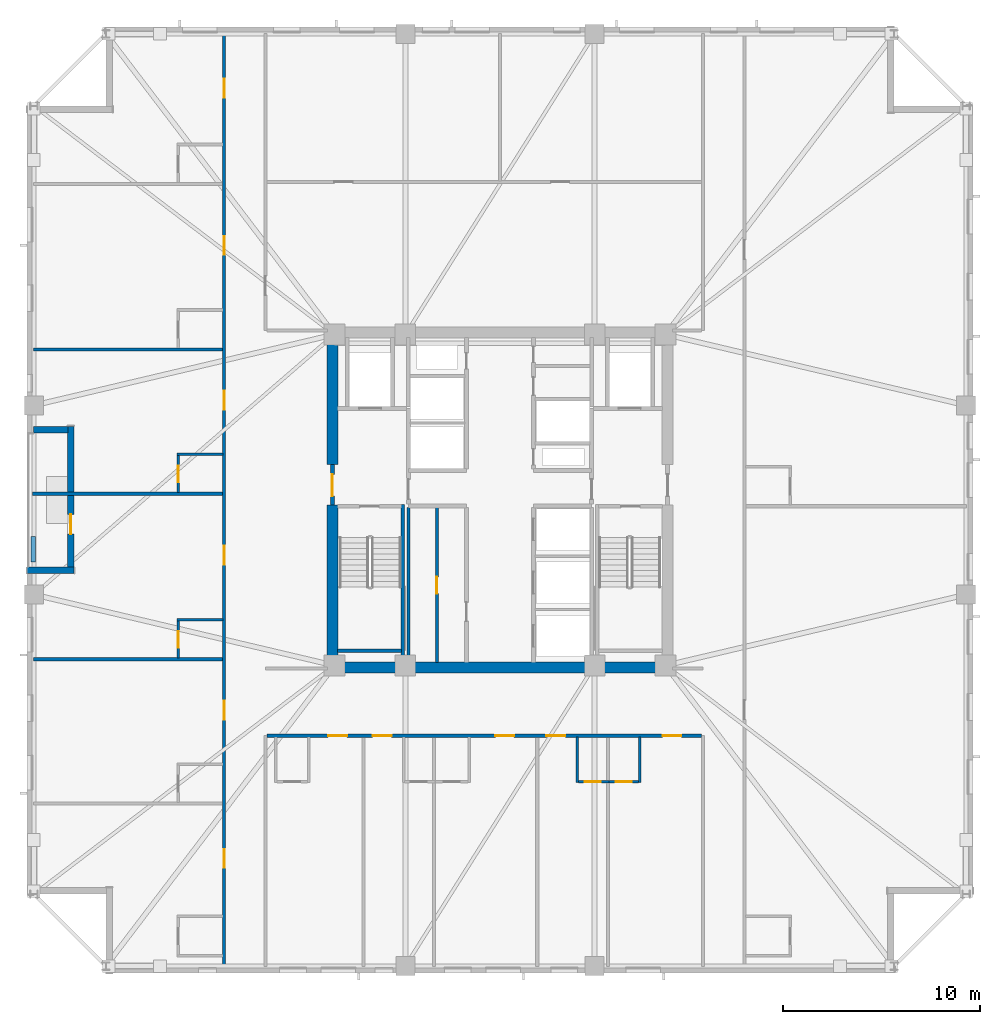
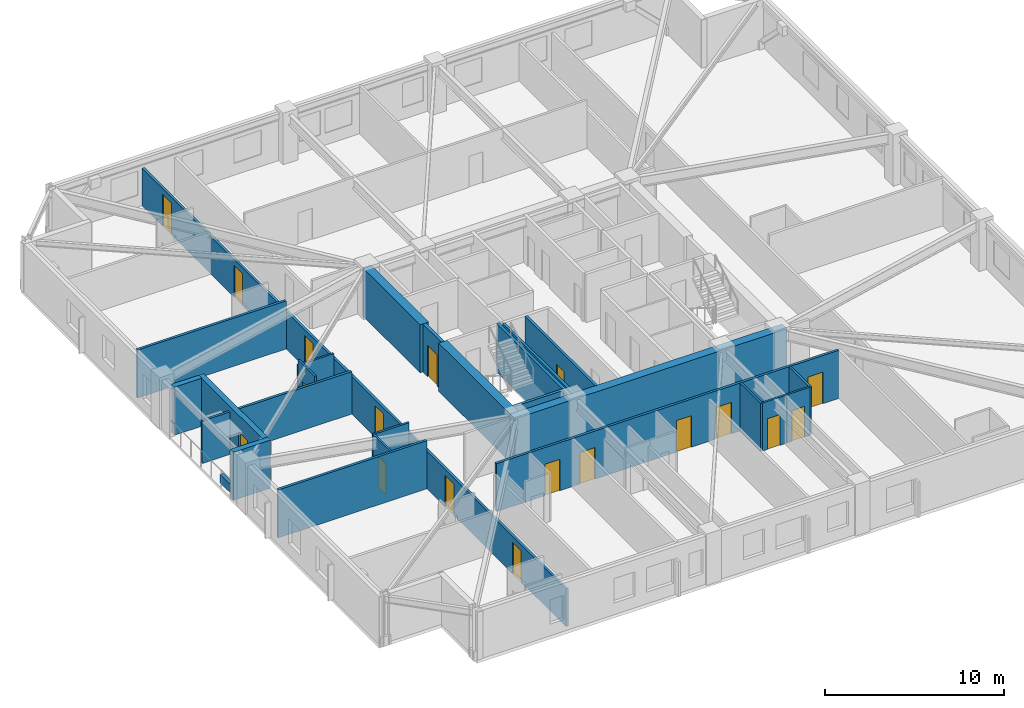
# One storey, part 3 of 11: 25 walls, 18 doors, 18 openings.
"""IFC4 building model written with IfcOpenShell, lengths in metres."""

from ifc_helpers import new_model, si_unit, direction, frame, frame_2d, origin, place, context, subcontext, project, spatial, rectangle, extrude, material, layer, layer_set, type_object, element, fill, save


model = new_model("IFC4")

# Units and contexts
model_context = context("Model", 3, precision=1e-05, world=origin(), true_north=direction((0.0, 1.0)))
body_context = subcontext(model_context, "Body", "Model", "MODEL_VIEW")
ifc_project = project(units=[si_unit("LENGTHUNIT", "METRE"), si_unit("AREAUNIT", "SQUARE_METRE"), si_unit("VOLUMEUNIT", "CUBIC_METRE"), si_unit("PLANEANGLEUNIT", "RADIAN"), si_unit("MASSUNIT", "GRAM", prefix="KILO")], contexts=[model_context])

# Site, building, storey
site_placement = place(None, origin())
site = spatial("IfcSite", under=ifc_project, at=site_placement, CompositionType="ELEMENT")
building_placement = place(site_placement, origin())
building = spatial("IfcBuilding", under=site, at=building_placement, Name="Cairnveth Concourse Tower", CompositionType="ELEMENT")
storey_placement = place(building_placement, frame((0.0, 0.0, 123.5)))
storey = spatial("IfcBuildingStorey", under=building, at=storey_placement, Name="L33", CompositionType="ELEMENT", Elevation=123.5)

# Wall
ifc_material_1 = material(Name="Gypsum Plasterboard Partition", Category="gypsum")
ifc_layer_1 = layer(ifc_material_1, 0.159912109375)
ifc_layer_set_1 = layer_set([ifc_layer_1], Name="Gypsum Plasterboard Partition")
wall_type_1 = type_object("IfcWallType", Name="ACOUSTIC PARTY WALL 180", PredefinedType="PARTITIONING", material=ifc_layer_set_1)
wall_1_placement = place(storey_placement, frame((47.35009765625, 30.760009765625, 0.0), z_axis=(0.0, 0.0, 1.0), x_axis=(0.0, 1.0, 0.0)))
element("IfcWall", 1, at=wall_1_placement, inside=storey, type_object=wall_type_1, Name="Interior Wall IW-L33-025", PredefinedType="PARTITIONING", context=body_context, shape_type="SweptSolid", body=[
    extrude(rectangle(XDim=7.85498046875, YDim=0.159912109375, at=frame_2d((3.927490234375, 0.0))), origin(), (0.0, 0.0, 1.0), 3.280029296875),
])

# Wall, opening, door
wall_2_placement = place(storey_placement, frame((48.800048828125, 30.760009765625, 0.0), z_axis=(0.0, 0.0, 1.0), x_axis=(0.0, 1.0, 0.0)))
wall_2 = element("IfcWall", 2, at=wall_2_placement, inside=storey, type_object=wall_type_1, Name="Interior Wall IW-L33-026", PredefinedType="PARTITIONING", context=body_context, shape_type="SweptSolid", body=[
    extrude(rectangle(XDim=7.85498046875, YDim=0.159912109375, at=frame_2d((3.927490234375, 0.0))), origin(), (0.0, 0.0, 1.0), 3.280029296875),
])
opening_1_placement = place(wall_2_placement, frame((3.489990234375, 0.0, 0.0)))
opening_1 = element("IfcOpeningElement", 3, at=opening_1_placement, cuts=wall_2, Name="Opening ID19", PredefinedType="OPENING", context=body_context, shape_type="SweptSolid", body=[
    extrude(rectangle(XDim=0.85009765625, YDim=2.1201171875, at=frame_2d((0.425048828125, 1.06005859375))), frame((0.0, 0.08984375, 0.0), z_axis=(0.0, -1.0, 0.0), x_axis=(1.0, 0.0, 0.0)), (0.0, 0.0, 1.0), 0.179931640625),
])
ifc_material_2 = material(Name="Steel Grade 350", Category="steel")
door_type_1 = type_object("IfcDoorType", Name="CORE SERVICE DOOR 850X2100", OperationType="NOTDEFINED", PredefinedType="DOOR", material=ifc_material_2)
door_1_placement = place(opening_1_placement, origin())
door_1 = element("IfcDoor", 4, at=door_1_placement, inside=storey, type_object=door_type_1, Name="Inner Store Door L33", OperationType="SINGLE_SWING_RIGHT", OverallHeight=2.1201171875, OverallWidth=0.85009765625, PredefinedType="DOOR", context=body_context, shape_type="SweptSolid", body=[
    extrude(rectangle(XDim=0.85009765625, YDim=2.1201171875, at=frame_2d((0.425048828125, 1.06005859375))), frame((0.0, 0.02490234375, 0.0), z_axis=(0.0, -1.0, 0.0), x_axis=(1.0, 0.0, 0.0)), (0.0, 0.0, 1.0), 0.050048828125),
])
fill(opening_1, door_1)

# Wall, openings, doors
wall_3_placement = place(storey_placement, frame((38.0, 15.324951171875, 0.0), z_axis=(0.0, 0.0, 1.0), x_axis=(0.0, 1.0, 0.0)))
wall_3 = element("IfcWall", 5, at=wall_3_placement, inside=storey, type_object=wall_type_1, Name="Interior Wall IW-L33-037", PredefinedType="PARTITIONING", context=body_context, shape_type="SweptSolid", body=[
    extrude(rectangle(XDim=47.35009765625, YDim=0.159912109375, at=frame_2d((23.675048828125, 0.0))), origin(), (0.0, 0.0, 1.0), 2.554931640625),
])
opening_2_placement = place(wall_3_placement, frame((5.00341796875, 0.0, 0.0)))
opening_2 = element("IfcOpeningElement", 6, at=opening_2_placement, cuts=wall_3, Name="Opening ID09", PredefinedType="OPENING", context=body_context, shape_type="SweptSolid", body=[
    extrude(rectangle(XDim=0.9599609375, YDim=2.14990234375, at=frame_2d((0.47998046875, 1.074951171875))), frame((0.0, 0.08984375, 0.0), z_axis=(0.0, -1.0, 0.0), x_axis=(1.0, 0.0, 0.0)), (0.0, 0.0, 1.0), 0.179931640625),
])
opening_3_placement = place(wall_3_placement, frame((12.52880859375, 0.0, 0.0)))
opening_3 = element("IfcOpeningElement", 7, at=opening_3_placement, cuts=wall_3, Name="Opening ID09", PredefinedType="OPENING", context=body_context, shape_type="SweptSolid", body=[
    extrude(rectangle(XDim=0.9599609375, YDim=2.14990234375, at=frame_2d((0.47998046875, 1.074951171875))), frame((0.0, 0.08984375, 0.0), z_axis=(0.0, -1.0, 0.0), x_axis=(1.0, 0.0, 0.0)), (0.0, 0.0, 1.0), 0.179931640625),
])
opening_4_placement = place(wall_3_placement, frame((20.388671875, 0.0, 0.0)))
opening_4 = element("IfcOpeningElement", 8, at=opening_4_placement, cuts=wall_3, Name="Opening ID09", PredefinedType="OPENING", context=body_context, shape_type="SweptSolid", body=[
    extrude(rectangle(XDim=0.9599609375, YDim=2.14990234375, at=frame_2d((0.47998046875, 1.074951171875))), frame((0.0, 0.08984375, 0.0), z_axis=(0.0, -1.0, 0.0), x_axis=(1.0, 0.0, 0.0)), (0.0, 0.0, 1.0), 0.179931640625),
])
opening_5_placement = place(wall_3_placement, frame((28.248779296875, 0.0, 0.0)))
opening_5 = element("IfcOpeningElement", 9, at=opening_5_placement, cuts=wall_3, Name="Opening ID09", PredefinedType="OPENING", context=body_context, shape_type="SweptSolid", body=[
    extrude(rectangle(XDim=0.9599609375, YDim=2.14990234375, at=frame_2d((0.47998046875, 1.074951171875))), frame((0.0, 0.08984375, 0.0), z_axis=(0.0, -1.0, 0.0), x_axis=(1.0, 0.0, 0.0)), (0.0, 0.0, 1.0), 0.179931640625),
])
opening_6_placement = place(wall_3_placement, frame((36.10888671875, 0.0, 0.0)))
opening_6 = element("IfcOpeningElement", 10, at=opening_6_placement, cuts=wall_3, Name="Opening ID09", PredefinedType="OPENING", context=body_context, shape_type="SweptSolid", body=[
    extrude(rectangle(XDim=0.9599609375, YDim=2.14990234375, at=frame_2d((0.47998046875, 1.074951171875))), frame((0.0, 0.08984375, 0.0), z_axis=(0.0, -1.0, 0.0), x_axis=(1.0, 0.0, 0.0)), (0.0, 0.0, 1.0), 0.179931640625),
])
opening_7_placement = place(wall_3_placement, frame((44.07861328125, 0.0, 0.0)))
opening_7 = element("IfcOpeningElement", 11, at=opening_7_placement, cuts=wall_3, Name="Opening ID09", PredefinedType="OPENING", context=body_context, shape_type="SweptSolid", body=[
    extrude(rectangle(XDim=0.9599609375, YDim=2.14990234375, at=frame_2d((0.47998046875, 1.074951171875))), frame((0.0, 0.08984375, 0.0), z_axis=(0.0, -1.0, 0.0), x_axis=(1.0, 0.0, 0.0)), (0.0, 0.0, 1.0), 0.179931640625),
])
ifc_material_3 = material(Name="Solid Core Hardwood Timber Leaf", Category="wood")
door_type_2 = type_object("IfcDoorType", Name="HOTEL ENTRANCE DOOR 960X2150", OperationType="NOTDEFINED", PredefinedType="DOOR", material=ifc_material_3)
door_2_placement = place(opening_2_placement, origin())
door_2 = element("IfcDoor", 12, at=door_2_placement, inside=storey, type_object=door_type_2, Name="Hotel Room Door L33-W1", OperationType="SINGLE_SWING_RIGHT", OverallHeight=2.14990234375, OverallWidth=0.9599609375, PredefinedType="DOOR", context=body_context, shape_type="SweptSolid", body=[
    extrude(rectangle(XDim=0.9599609375, YDim=2.14990234375, at=frame_2d((0.47998046875, 1.074951171875))), frame((0.0, 0.02490234375, 0.0), z_axis=(0.0, -1.0, 0.0), x_axis=(1.0, 0.0, 0.0)), (0.0, 0.0, 1.0), 0.050048828125),
])
fill(opening_2, door_2)
door_3_placement = place(opening_3_placement, origin())
door_3 = element("IfcDoor", 13, at=door_3_placement, inside=storey, type_object=door_type_2, Name="Hotel Room Door L33-W2", OperationType="SINGLE_SWING_RIGHT", OverallHeight=2.14990234375, OverallWidth=0.9599609375, PredefinedType="DOOR", context=body_context, shape_type="SweptSolid", body=[
    extrude(rectangle(XDim=0.9599609375, YDim=2.14990234375, at=frame_2d((0.47998046875, 1.074951171875))), frame((0.0, 0.02490234375, 0.0), z_axis=(0.0, -1.0, 0.0), x_axis=(1.0, 0.0, 0.0)), (0.0, 0.0, 1.0), 0.050048828125),
])
fill(opening_3, door_3)
door_4_placement = place(opening_4_placement, origin())
door_4 = element("IfcDoor", 14, at=door_4_placement, inside=storey, type_object=door_type_2, Name="Hotel Room Door L33-W3", OperationType="SINGLE_SWING_RIGHT", OverallHeight=2.14990234375, OverallWidth=0.9599609375, PredefinedType="DOOR", context=body_context, shape_type="SweptSolid", body=[
    extrude(rectangle(XDim=0.9599609375, YDim=2.14990234375, at=frame_2d((0.47998046875, 1.074951171875))), frame((0.0, 0.02490234375, 0.0), z_axis=(0.0, -1.0, 0.0), x_axis=(1.0, 0.0, 0.0)), (0.0, 0.0, 1.0), 0.050048828125),
])
fill(opening_4, door_4)
door_5_placement = place(opening_5_placement, origin())
door_5 = element("IfcDoor", 15, at=door_5_placement, inside=storey, type_object=door_type_2, Name="Hotel Room Door L33-W4", OperationType="SINGLE_SWING_RIGHT", OverallHeight=2.14990234375, OverallWidth=0.9599609375, PredefinedType="DOOR", context=body_context, shape_type="SweptSolid", body=[
    extrude(rectangle(XDim=0.9599609375, YDim=2.14990234375, at=frame_2d((0.47998046875, 1.074951171875))), frame((0.0, 0.02490234375, 0.0), z_axis=(0.0, -1.0, 0.0), x_axis=(1.0, 0.0, 0.0)), (0.0, 0.0, 1.0), 0.050048828125),
])
fill(opening_5, door_5)
door_6_placement = place(opening_6_placement, origin())
door_6 = element("IfcDoor", 16, at=door_6_placement, inside=storey, type_object=door_type_2, Name="Hotel Room Door L33-W5", OperationType="SINGLE_SWING_RIGHT", OverallHeight=2.14990234375, OverallWidth=0.9599609375, PredefinedType="DOOR", context=body_context, shape_type="SweptSolid", body=[
    extrude(rectangle(XDim=0.9599609375, YDim=2.14990234375, at=frame_2d((0.47998046875, 1.074951171875))), frame((0.0, 0.02490234375, 0.0), z_axis=(0.0, -1.0, 0.0), x_axis=(1.0, 0.0, 0.0)), (0.0, 0.0, 1.0), 0.050048828125),
])
fill(opening_6, door_6)
door_7_placement = place(opening_7_placement, origin())
door_7 = element("IfcDoor", 17, at=door_7_placement, inside=storey, type_object=door_type_2, Name="Hotel Room Door L33-W6", OperationType="SINGLE_SWING_RIGHT", OverallHeight=2.14990234375, OverallWidth=0.9599609375, PredefinedType="DOOR", context=body_context, shape_type="SweptSolid", body=[
    extrude(rectangle(XDim=0.9599609375, YDim=2.14990234375, at=frame_2d((0.47998046875, 1.074951171875))), frame((0.0, 0.02490234375, 0.0), z_axis=(0.0, -1.0, 0.0), x_axis=(1.0, 0.0, 0.0)), (0.0, 0.0, 1.0), 0.050048828125),
])
fill(opening_7, door_7)

wall_4_placement = place(storey_placement, frame((40.1650390625, 27.0400390625, 0.0), z_axis=(0.0, 0.0, 1.0), x_axis=(1.0, 0.0, 0.0)))
wall_4 = element("IfcWall", 18, at=wall_4_placement, inside=storey, type_object=wall_type_1, Name="Interior Wall IW-L33-047", PredefinedType="PARTITIONING", context=body_context, shape_type="SweptSolid", body=[
    extrude(rectangle(XDim=22.070068359375, YDim=0.159912109375, at=frame_2d((11.03515625, 0.0))), origin(), (0.0, 0.0, 1.0), 3.280029296875),
])
opening_8_placement = place(wall_4_placement, frame((3.114990234375, 0.0, 0.0)))
opening_8 = element("IfcOpeningElement", 19, at=opening_8_placement, cuts=wall_4, Name="Opening ID09", PredefinedType="OPENING", context=body_context, shape_type="SweptSolid", body=[
    extrude(rectangle(XDim=0.9599609375, YDim=2.14990234375, at=frame_2d((0.47998046875, 1.074951171875))), frame((0.0, 0.08984375, 0.0), z_axis=(0.0, -1.0, 0.0), x_axis=(1.0, 0.0, 0.0)), (0.0, 0.0, 1.0), 0.179931640625),
])
opening_9_placement = place(wall_4_placement, frame((5.3720703125, 0.0, 0.0)))
opening_9 = element("IfcOpeningElement", 20, at=opening_9_placement, cuts=wall_4, Name="Opening ID09", PredefinedType="OPENING", context=body_context, shape_type="SweptSolid", body=[
    extrude(rectangle(XDim=0.9599609375, YDim=2.14990234375, at=frame_2d((0.47998046875, 1.074951171875))), frame((0.0, 0.08984375, 0.0), z_axis=(0.0, -1.0, 0.0), x_axis=(1.0, 0.0, 0.0)), (0.0, 0.0, 1.0), 0.179931640625),
])
opening_10_placement = place(wall_4_placement, frame((11.594482421875, 0.0, 0.0)))
opening_10 = element("IfcOpeningElement", 21, at=opening_10_placement, cuts=wall_4, Name="Opening ID09", PredefinedType="OPENING", context=body_context, shape_type="SweptSolid", body=[
    extrude(rectangle(XDim=0.9599609375, YDim=2.14990234375, at=frame_2d((0.47998046875, 1.074951171875))), frame((0.0, 0.08984375, 0.0), z_axis=(0.0, -1.0, 0.0), x_axis=(1.0, 0.0, 0.0)), (0.0, 0.0, 1.0), 0.179931640625),
])
opening_11_placement = place(wall_4_placement, frame((14.18798828125, 0.0, 0.0)))
opening_11 = element("IfcOpeningElement", 22, at=opening_11_placement, cuts=wall_4, Name="Opening ID09", PredefinedType="OPENING", context=body_context, shape_type="SweptSolid", body=[
    extrude(rectangle(XDim=0.9599609375, YDim=2.14990234375, at=frame_2d((0.47998046875, 1.074951171875))), frame((0.0, 0.08984375, 0.0), z_axis=(0.0, -1.0, 0.0), x_axis=(1.0, 0.0, 0.0)), (0.0, 0.0, 1.0), 0.179931640625),
])
opening_12_placement = place(wall_4_placement, frame((20.083984375, 0.0, 0.0)))
opening_12 = element("IfcOpeningElement", 23, at=opening_12_placement, cuts=wall_4, Name="Opening ID09", PredefinedType="OPENING", context=body_context, shape_type="SweptSolid", body=[
    extrude(rectangle(XDim=0.9599609375, YDim=2.14990234375, at=frame_2d((0.47998046875, 1.074951171875))), frame((0.0, 0.08984375, 0.0), z_axis=(0.0, -1.0, 0.0), x_axis=(1.0, 0.0, 0.0)), (0.0, 0.0, 1.0), 0.179931640625),
])
door_8_placement = place(opening_8_placement, origin())
door_8 = element("IfcDoor", 24, at=door_8_placement, inside=storey, type_object=door_type_2, Name="Hotel Room Door L33-S1", OperationType="SINGLE_SWING_RIGHT", OverallHeight=2.14990234375, OverallWidth=0.9599609375, PredefinedType="DOOR", context=body_context, shape_type="SweptSolid", body=[
    extrude(rectangle(XDim=0.9599609375, YDim=2.14990234375, at=frame_2d((0.47998046875, 1.074951171875))), frame((0.0, 0.02490234375, 0.0), z_axis=(0.0, -1.0, 0.0), x_axis=(1.0, 0.0, 0.0)), (0.0, 0.0, 1.0), 0.050048828125),
])
fill(opening_8, door_8)
door_9_placement = place(opening_9_placement, origin())
door_9 = element("IfcDoor", 25, at=door_9_placement, inside=storey, type_object=door_type_2, Name="Hotel Room Door L33-S2", OperationType="SINGLE_SWING_RIGHT", OverallHeight=2.14990234375, OverallWidth=0.9599609375, PredefinedType="DOOR", context=body_context, shape_type="SweptSolid", body=[
    extrude(rectangle(XDim=0.9599609375, YDim=2.14990234375, at=frame_2d((0.47998046875, 1.074951171875))), frame((0.0, 0.02490234375, 0.0), z_axis=(0.0, -1.0, 0.0), x_axis=(1.0, 0.0, 0.0)), (0.0, 0.0, 1.0), 0.050048828125),
])
fill(opening_9, door_9)
door_10_placement = place(opening_10_placement, origin())
door_10 = element("IfcDoor", 26, at=door_10_placement, inside=storey, type_object=door_type_2, Name="Hotel Room Door L33-S3", OperationType="SINGLE_SWING_RIGHT", OverallHeight=2.14990234375, OverallWidth=0.9599609375, PredefinedType="DOOR", context=body_context, shape_type="SweptSolid", body=[
    extrude(rectangle(XDim=0.9599609375, YDim=2.14990234375, at=frame_2d((0.47998046875, 1.074951171875))), frame((0.0, 0.02490234375, 0.0), z_axis=(0.0, -1.0, 0.0), x_axis=(1.0, 0.0, 0.0)), (0.0, 0.0, 1.0), 0.050048828125),
])
fill(opening_10, door_10)
door_11_placement = place(opening_11_placement, origin())
door_11 = element("IfcDoor", 27, at=door_11_placement, inside=storey, type_object=door_type_2, Name="Hotel Room Door L33-S4", OperationType="SINGLE_SWING_RIGHT", OverallHeight=2.14990234375, OverallWidth=0.9599609375, PredefinedType="DOOR", context=body_context, shape_type="SweptSolid", body=[
    extrude(rectangle(XDim=0.9599609375, YDim=2.14990234375, at=frame_2d((0.47998046875, 1.074951171875))), frame((0.0, 0.02490234375, 0.0), z_axis=(0.0, -1.0, 0.0), x_axis=(1.0, 0.0, 0.0)), (0.0, 0.0, 1.0), 0.050048828125),
])
fill(opening_11, door_11)
door_12_placement = place(opening_12_placement, origin())
door_12 = element("IfcDoor", 28, at=door_12_placement, inside=storey, type_object=door_type_2, Name="Hotel Room Door L33-S5", OperationType="SINGLE_SWING_RIGHT", OverallHeight=2.14990234375, OverallWidth=0.9599609375, PredefinedType="DOOR", context=body_context, shape_type="SweptSolid", body=[
    extrude(rectangle(XDim=0.9599609375, YDim=2.14990234375, at=frame_2d((0.47998046875, 1.074951171875))), frame((0.0, 0.02490234375, 0.0), z_axis=(0.0, -1.0, 0.0), x_axis=(1.0, 0.0, 0.0)), (0.0, 0.0, 1.0), 0.050048828125),
])
fill(opening_12, door_12)

# Walls
wall_5_placement = place(storey_placement, frame((28.324951171875, 30.920654296875, 0.0), z_axis=(0.0, 0.0, 1.0), x_axis=(1.0, 0.0, 0.0)))
element("IfcWall", 29, at=wall_5_placement, inside=storey, type_object=wall_type_1, Name="Interior Wall IW-L33-071", PredefinedType="PARTITIONING", context=body_context, shape_type="SweptSolid", body=[
    extrude(rectangle(XDim=9.594970703125, YDim=0.159912109375, at=frame_2d((4.79736328125, 0.0))), origin(), (0.0, 0.0, 1.0), 3.280029296875),
])
wall_6_placement = place(storey_placement, frame((28.27001953125, 39.31689453125, 0.0), z_axis=(0.0, 0.0, 1.0), x_axis=(1.0, 0.0, 0.0)))
element("IfcWall", 30, at=wall_6_placement, inside=storey, type_object=wall_type_1, Name="Interior Wall IW-L33-074", PredefinedType="PARTITIONING", context=body_context, shape_type="SweptSolid", body=[
    extrude(rectangle(XDim=9.64990234375, YDim=0.159912109375, at=frame_2d((4.824951171875, 0.0))), origin(), (0.0, 0.0, 1.0), 2.89599609375),
])
wall_7_placement = place(storey_placement, frame((28.324951171875, 46.640625, 0.0), z_axis=(0.0, 0.0, 1.0), x_axis=(1.0, 0.0, 0.0)))
element("IfcWall", 31, at=wall_7_placement, inside=storey, type_object=wall_type_1, Name="Interior Wall IW-L33-077", PredefinedType="PARTITIONING", context=body_context, shape_type="SweptSolid", body=[
    extrude(rectangle(XDim=9.594970703125, YDim=0.159912109375, at=frame_2d((4.79736328125, 0.0))), origin(), (0.0, 0.0, 1.0), 3.280029296875),
])
ifc_material_4 = material(Name="Concrete N80 (80 MPa)", Category="concrete")
ifc_layer_2 = layer(ifc_material_4, 0.550048828125)
ifc_layer_set_2 = layer_set([ifc_layer_2], Name="Concrete N80 (80 MPa)")
wall_type_2 = type_object("IfcWallType", Name="CORE SHEAR WALL 550", PredefinedType="SHEAR", material=ifc_layer_set_2)
wall_8_placement = place(storey_placement, frame((43.22509765625, 30.5, 0.0), z_axis=(0.0, 0.0, 1.0), x_axis=(1.0, 0.0, 0.0)))
element("IfcWall", 32, at=wall_8_placement, inside=storey, type_object=wall_type_2, Name="Core South Shear Wall L33", PredefinedType="SHEAR", context=body_context, shape_type="SweptSolid", body=[
    extrude(rectangle(XDim=17.5498046875, YDim=0.550048828125, at=frame_2d((8.77490234375, 0.0))), origin(), (0.0, 0.0, 1.0), 3.280029296875),
])
wall_9_placement = place(storey_placement, frame((43.5, 30.764892578125, 0.0), z_axis=(0.0, 0.0, 1.0), x_axis=(0.0, 1.0, 0.0)))
element("IfcWall", 33, at=wall_9_placement, inside=storey, type_object=wall_type_2, Name="Core West Shear Wall S L33", PredefinedType="SHEAR", context=body_context, shape_type="SweptSolid", body=[
    extrude(rectangle(XDim=7.985107421875, YDim=0.550048828125, at=frame_2d((3.99267578125, 0.0))), origin(), (0.0, 0.0, 1.0), 3.280029296875),
])
wall_10_placement = place(storey_placement, frame((43.5, 40.800048828125, 0.0), z_axis=(0.0, 0.0, 1.0), x_axis=(0.0, 1.0, 0.0)))
element("IfcWall", 34, at=wall_10_placement, inside=storey, type_object=wall_type_2, Name="Core West Shear Wall N L33", PredefinedType="SHEAR", context=body_context, shape_type="SweptSolid", body=[
    extrude(rectangle(XDim=6.43505859375, YDim=0.550048828125, at=frame_2d((3.217529296875, 0.0))), origin(), (0.0, 0.0, 1.0), 3.280029296875),
])
ifc_material_5 = material(Name="Concrete N50 (50 MPa)", Category="concrete")
ifc_layer_3 = layer(ifc_material_5, 0.179931640625)
ifc_layer_set_3 = layer_set([ifc_layer_3], Name="Concrete N50 (50 MPa)")
wall_type_3 = type_object("IfcWallType", Name="FIRE SHAFT WALL 180", PredefinedType="SOLIDWALL", material=ifc_layer_set_3)
wall_11_placement = place(storey_placement, frame((43.764892578125, 31.360107421875, 0.0), z_axis=(0.0, 0.0, 1.0), x_axis=(1.0, 0.0, 0.0)))
element("IfcWall", 35, at=wall_11_placement, inside=storey, type_object=wall_type_3, Name="Stair ST-1 Shaft Wall FAR L33", PredefinedType="SOLIDWALL", context=body_context, shape_type="SweptSolid", body=[
    extrude(rectangle(XDim=3.230224609375, YDim=0.179931640625, at=frame_2d((1.615234375, 0.0))), origin(), (0.0, 0.0, 1.0), 3.280029296875),
])
wall_12_placement = place(storey_placement, frame((47.070068359375, 38.780029296875, 0.0), z_axis=(0.0, 0.0, 1.0), x_axis=(0.0, -1.0, 0.0)))
element("IfcWall", 36, at=wall_12_placement, inside=storey, type_object=wall_type_3, Name="Stair ST-1 Shaft Wall RGHT L33", PredefinedType="SOLIDWALL", context=body_context, shape_type="SweptSolid", body=[
    extrude(rectangle(XDim=8.01708984375, YDim=0.179931640625, at=frame_2d((4.008544921875, 0.0))), origin(), (0.0, 0.0, 1.0), 3.280029296875),
])

# Wall, opening, door
ifc_layer_4 = layer(ifc_material_5, 0.199951171875)
ifc_layer_set_4 = layer_set([ifc_layer_4], Name="Concrete N50 (50 MPa)")
wall_type_4 = type_object("IfcWallType", Name="FIRE SHAFT WALL 200", PredefinedType="SOLIDWALL", material=ifc_layer_set_4)
wall_13_placement = place(storey_placement, frame((43.5, 38.75, 0.0), z_axis=(0.0, 0.0, 1.0), x_axis=(0.0, 1.0, 0.0)))
wall_13 = element("IfcWall", 37, at=wall_13_placement, inside=storey, type_object=wall_type_4, Name="Interior Wall IW-L33-015", PredefinedType="SOLIDWALL", context=body_context, shape_type="SweptSolid", body=[
    extrude(rectangle(XDim=2.050048828125, YDim=0.199951171875, at=frame_2d((1.02490234375, 0.0))), origin(), (0.0, 0.0, 1.0), 3.280029296875),
])
opening_13_placement = place(wall_13_placement, frame((0.449951171875, 0.0, 0.0)))
opening_13 = element("IfcOpeningElement", 38, at=opening_13_placement, cuts=wall_13, Name="Opening ID06", PredefinedType="OPENING", context=body_context, shape_type="SweptSolid", body=[
    extrude(rectangle(XDim=1.10009765625, YDim=2.14990234375, at=frame_2d((0.550048828125, 1.074951171875))), frame((0.0, 0.10986328125, 0.0), z_axis=(0.0, -1.0, 0.0), x_axis=(1.0, 0.0, 0.0)), (0.0, 0.0, 1.0), 0.219970703125),
])
door_type_3 = type_object("IfcDoorType", Name="FIRE CORRIDOR DOOR 1100X2150", OperationType="NOTDEFINED", PredefinedType="DOOR", material=ifc_material_2)
door_13_placement = place(opening_13_placement, origin())
door_13 = element("IfcDoor", 39, at=door_13_placement, inside=storey, type_object=door_type_3, Name="West Wing to FF Lobby Door L33", OperationType="SINGLE_SWING_LEFT", OverallHeight=2.14990234375, OverallWidth=1.10009765625, PredefinedType="DOOR", context=body_context, shape_type="SweptSolid", body=[
    extrude(rectangle(XDim=1.10009765625, YDim=2.14990234375, at=frame_2d((0.550048828125, 1.074951171875))), frame((0.0, 0.02490234375, 0.0), z_axis=(0.0, -1.0, 0.0), x_axis=(1.0, 0.0, 0.0)), (0.0, 0.0, 1.0), 0.050048828125),
])
fill(opening_13, door_13)

# Walls
ifc_material_6 = material(Name="Dressed Melbourne Bluestone Cladding", Category="masonry")
ifc_layer_5 = layer(ifc_material_6, 0.219970703125)
ifc_layer_set_5 = layer_set([ifc_layer_5], Name="Dressed Melbourne Bluestone Cladding")
wall_type_5 = type_object("IfcWallType", Name="TERRACE PLANTER CURB WALL 220", PredefinedType="PARAPET", material=ifc_layer_set_5)
wall_14_placement = place(storey_placement, frame((28.320068359375, 35.85009765625, 0.0), z_axis=(0.0, 0.0, 1.0), x_axis=(0.0, 1.0, 0.0)))
element("IfcWall", 40, at=wall_14_placement, inside=storey, type_object=wall_type_5, Name="Exterior Wall PLNT-L33-TERR", PredefinedType="PARAPET", context=body_context, shape_type="SweptSolid", body=[
    extrude(rectangle(XDim=1.2998046875, YDim=0.219970703125, at=frame_2d((0.64990234375, 0.0))), origin(), (0.0, 0.0, 1.0), 0.550048828125),
])
ifc_layer_6 = layer(ifc_material_1, 0.1298828125)
ifc_layer_set_6 = layer_set([ifc_layer_6], Name="Gypsum Plasterboard Partition")
wall_type_6 = type_object("IfcWallType", Name="WET AREA PARTITION 140", PredefinedType="PLUMBINGWALL", material=ifc_layer_set_6)
wall_15_placement = place(storey_placement, frame((55.924560546875, 24.659912109375, 0.0), z_axis=(0.0, 0.0, 1.0), x_axis=(0.0, 1.0, 0.0)))
element("IfcWall", 41, at=wall_15_placement, inside=storey, type_object=wall_type_6, Name="Interior Wall IW-L33-060", PredefinedType="PLUMBINGWALL", context=body_context, shape_type="SweptSolid", body=[
    extrude(rectangle(XDim=2.315185546875, YDim=0.1298828125, at=frame_2d((1.15771484375, 0.0))), origin(), (0.0, 0.0, 1.0), 3.280029296875),
])

# Wall, opening, door
wall_16_placement = place(storey_placement, frame((55.974609375, 24.7099609375, 0.0), z_axis=(0.0, 0.0, 1.0), x_axis=(1.0, 0.0, 0.0)))
wall_16 = element("IfcWall", 42, at=wall_16_placement, inside=storey, type_object=wall_type_6, Name="Interior Wall IW-L33-061", PredefinedType="PLUMBINGWALL", context=body_context, shape_type="SweptSolid", body=[
    extrude(rectangle(XDim=1.5498046875, YDim=0.1298828125, at=frame_2d((0.77490234375, 0.0))), origin(), (0.0, 0.0, 1.0), 3.280029296875),
])
opening_14_placement = place(wall_16_placement, frame((0.31494140625, 0.0, 0.0)))
opening_14 = element("IfcOpeningElement", 43, at=opening_14_placement, cuts=wall_16, Name="Opening ID22", PredefinedType="OPENING", context=body_context, shape_type="SweptSolid", body=[
    extrude(rectangle(XDim=0.820068359375, YDim=2.10009765625, at=frame_2d((0.41015625, 1.050048828125))), frame((0.0, 0.074951171875, 0.0), z_axis=(0.0, -1.0, 0.0), x_axis=(1.0, 0.0, 0.0)), (0.0, 0.0, 1.0), 0.14990234375),
])
door_type_4 = type_object("IfcDoorType", Name="INTERIOR WC DOOR 820X2100", OperationType="NOTDEFINED", PredefinedType="DOOR", material=ifc_material_3)
door_14_placement = place(opening_14_placement, origin())
door_14 = element("IfcDoor", 44, at=door_14_placement, inside=storey, type_object=door_type_4, Name="En-Suite Door L33-S4", OperationType="SINGLE_SWING_LEFT", OverallHeight=2.10009765625, OverallWidth=0.820068359375, PredefinedType="DOOR", context=body_context, shape_type="SweptSolid", body=[
    extrude(rectangle(XDim=0.820068359375, YDim=2.10009765625, at=frame_2d((0.41015625, 1.050048828125))), frame((0.0, 0.02490234375, 0.0), z_axis=(0.0, -1.0, 0.0), x_axis=(1.0, 0.0, 0.0)), (0.0, 0.0, 1.0), 0.050048828125),
])
fill(opening_14, door_14)

# Wall
wall_17_placement = place(storey_placement, frame((59.087890625, 24.659912109375, 0.0), z_axis=(0.0, 0.0, 1.0), x_axis=(0.0, 1.0, 0.0)))
element("IfcWall", 45, at=wall_17_placement, inside=storey, type_object=wall_type_6, Name="Interior Wall IW-L33-063", PredefinedType="PLUMBINGWALL", context=body_context, shape_type="SweptSolid", body=[
    extrude(rectangle(XDim=2.315185546875, YDim=0.1298828125, at=frame_2d((1.15771484375, 0.0))), origin(), (0.0, 0.0, 1.0), 3.280029296875),
])

# Wall, opening, door
wall_18_placement = place(storey_placement, frame((57.53955078125, 24.7099609375, 0.0), z_axis=(0.0, 0.0, 1.0), x_axis=(1.0, 0.0, 0.0)))
wall_18 = element("IfcWall", 46, at=wall_18_placement, inside=storey, type_object=wall_type_6, Name="Interior Wall IW-L33-064", PredefinedType="PLUMBINGWALL", context=body_context, shape_type="SweptSolid", body=[
    extrude(rectangle(XDim=1.49853515625, YDim=0.1298828125, at=frame_2d((0.749267578125, 0.0))), origin(), (0.0, 0.0, 1.0), 3.280029296875),
])
opening_15_placement = place(wall_18_placement, frame((0.331787109375, 0.0, 0.0)))
opening_15 = element("IfcOpeningElement", 47, at=opening_15_placement, cuts=wall_18, Name="Opening ID22", PredefinedType="OPENING", context=body_context, shape_type="SweptSolid", body=[
    extrude(rectangle(XDim=0.820068359375, YDim=2.10009765625, at=frame_2d((0.41015625, 1.050048828125))), frame((0.0, 0.074951171875, 0.0), z_axis=(0.0, -1.0, 0.0), x_axis=(1.0, 0.0, 0.0)), (0.0, 0.0, 1.0), 0.14990234375),
])
door_15_placement = place(opening_15_placement, origin())
door_15 = element("IfcDoor", 48, at=door_15_placement, inside=storey, type_object=door_type_4, Name="En-Suite Door L33-S5", OperationType="SINGLE_SWING_LEFT", OverallHeight=2.10009765625, OverallWidth=0.820068359375, PredefinedType="DOOR", context=body_context, shape_type="SweptSolid", body=[
    extrude(rectangle(XDim=0.820068359375, YDim=2.10009765625, at=frame_2d((0.41015625, 1.050048828125))), frame((0.0, 0.02490234375, 0.0), z_axis=(0.0, -1.0, 0.0), x_axis=(1.0, 0.0, 0.0)), (0.0, 0.0, 1.0), 0.050048828125),
])
fill(opening_15, door_15)

# Wall
wall_19_placement = place(storey_placement, frame((35.6201171875, 32.920654296875, 0.0), z_axis=(0.0, 0.0, 1.0), x_axis=(1.0, 0.0, 0.0)))
element("IfcWall", 49, at=wall_19_placement, inside=storey, type_object=wall_type_6, Name="Interior Wall IW-L33-072", PredefinedType="PLUMBINGWALL", context=body_context, shape_type="SweptSolid", body=[
    extrude(rectangle(XDim=2.31494140625, YDim=0.1298828125, at=frame_2d((1.157470703125, 0.0))), origin(), (0.0, 0.0, 1.0), 3.280029296875),
])

# Wall, opening, door
wall_20_placement = place(storey_placement, frame((35.669921875, 30.985595703125, 0.0), z_axis=(0.0, 0.0, 1.0), x_axis=(0.0, 1.0, 0.0)))
wall_20 = element("IfcWall", 50, at=wall_20_placement, inside=storey, type_object=wall_type_6, Name="Interior Wall IW-L33-073", PredefinedType="PLUMBINGWALL", context=body_context, shape_type="SweptSolid", body=[
    extrude(rectangle(XDim=1.885009765625, YDim=0.1298828125, at=frame_2d((0.9423828125, 0.0))), origin(), (0.0, 0.0, 1.0), 3.280029296875),
])
opening_16_placement = place(wall_20_placement, frame((0.52490234375, 0.0, 0.0)))
opening_16 = element("IfcOpeningElement", 51, at=opening_16_placement, cuts=wall_20, Name="Opening ID22", PredefinedType="OPENING", context=body_context, shape_type="SweptSolid", body=[
    extrude(rectangle(XDim=0.820068359375, YDim=2.10009765625, at=frame_2d((0.41015625, 1.050048828125))), frame((0.0, 0.074951171875, 0.0), z_axis=(0.0, -1.0, 0.0), x_axis=(1.0, 0.0, 0.0)), (0.0, 0.0, 1.0), 0.14990234375),
])
door_16_placement = place(opening_16_placement, origin())
door_16 = element("IfcDoor", 52, at=door_16_placement, inside=storey, type_object=door_type_4, Name="En-Suite Door L33-W3", OperationType="SINGLE_SWING_LEFT", OverallHeight=2.10009765625, OverallWidth=0.820068359375, PredefinedType="DOOR", context=body_context, shape_type="SweptSolid", body=[
    extrude(rectangle(XDim=0.820068359375, YDim=2.10009765625, at=frame_2d((0.41015625, 1.050048828125))), frame((0.0, 0.02490234375, 0.0), z_axis=(0.0, -1.0, 0.0), x_axis=(1.0, 0.0, 0.0)), (0.0, 0.0, 1.0), 0.050048828125),
])
fill(opening_16, door_16)

# Wall
wall_21_placement = place(storey_placement, frame((35.6201171875, 41.31689453125, 0.0), z_axis=(0.0, 0.0, 1.0), x_axis=(1.0, 0.0, 0.0)))
element("IfcWall", 53, at=wall_21_placement, inside=storey, type_object=wall_type_6, Name="Interior Wall IW-L33-075", PredefinedType="PLUMBINGWALL", context=body_context, shape_type="SweptSolid", body=[
    extrude(rectangle(XDim=2.31494140625, YDim=0.1298828125, at=frame_2d((1.157470703125, 0.0))), origin(), (0.0, 0.0, 1.0), 2.89599609375),
])

# Wall, opening, door
wall_22_placement = place(storey_placement, frame((35.669921875, 39.3818359375, 0.0), z_axis=(0.0, 0.0, 1.0), x_axis=(0.0, 1.0, 0.0)))
wall_22 = element("IfcWall", 54, at=wall_22_placement, inside=storey, type_object=wall_type_6, Name="Interior Wall IW-L33-076", PredefinedType="PLUMBINGWALL", context=body_context, shape_type="SweptSolid", body=[
    extrude(rectangle(XDim=1.885009765625, YDim=0.1298828125, at=frame_2d((0.9423828125, 0.0))), origin(), (0.0, 0.0, 1.0), 3.280029296875),
])
opening_17_placement = place(wall_22_placement, frame((0.52490234375, 0.0, 0.0)))
opening_17 = element("IfcOpeningElement", 55, at=opening_17_placement, cuts=wall_22, Name="Opening ID22", PredefinedType="OPENING", context=body_context, shape_type="SweptSolid", body=[
    extrude(rectangle(XDim=0.820068359375, YDim=2.10009765625, at=frame_2d((0.41015625, 1.050048828125))), frame((0.0, 0.074951171875, 0.0), z_axis=(0.0, -1.0, 0.0), x_axis=(1.0, 0.0, 0.0)), (0.0, 0.0, 1.0), 0.14990234375),
])
door_17_placement = place(opening_17_placement, origin())
door_17 = element("IfcDoor", 56, at=door_17_placement, inside=storey, type_object=door_type_4, Name="En-Suite Door L33-W4", OperationType="SINGLE_SWING_LEFT", OverallHeight=2.10009765625, OverallWidth=0.820068359375, PredefinedType="DOOR", context=body_context, shape_type="SweptSolid", body=[
    extrude(rectangle(XDim=0.820068359375, YDim=2.10009765625, at=frame_2d((0.41015625, 1.050048828125))), frame((0.0, 0.02490234375, 0.0), z_axis=(0.0, -1.0, 0.0), x_axis=(1.0, 0.0, 0.0)), (0.0, 0.0, 1.0), 0.050048828125),
])
fill(opening_17, door_17)

# Wall
ifc_material_7 = material(Name="Hawthorn Red-Ochre Fired Clay Brick Masonry", Category="masonry")
ifc_layer_7 = layer(ifc_material_7, 0.340087890625)
ifc_layer_set_7 = layer_set([ifc_layer_7], Name="Hawthorn Red-Ochre Fired Clay Brick Masonry")
wall_type_7 = type_object("IfcWallType", Name="ZONE 2 BRICK PIER SPANDREL WALL 340", PredefinedType="SOLIDWALL", material=ifc_layer_set_7)
wall_23_placement = place(storey_placement, frame((28.0, 35.429931640625, 0.0), z_axis=(0.0, 0.0, 1.0), x_axis=(1.0, 0.0, 0.0)))
element("IfcWall", 57, at=wall_23_placement, inside=storey, type_object=wall_type_7, Name="Exterior Wall EW-L33-S13", PredefinedType="SOLIDWALL", context=body_context, shape_type="SweptSolid", body=[
    extrude(rectangle(XDim=2.389892578125, YDim=0.340087890625, at=frame_2d((1.19482421875, 0.0))), origin(), (0.0, 0.0, 1.0), 3.280029296875),
])

# Wall, opening, door
wall_24_placement = place(storey_placement, frame((30.219970703125, 35.577880859375, 0.0), z_axis=(0.0, 0.0, 1.0), x_axis=(0.0, 1.0, 0.0)))
wall_24 = element("IfcWall", 58, at=wall_24_placement, inside=storey, type_object=wall_type_7, Name="Exterior Wall EW-L33-S14", PredefinedType="SOLIDWALL", context=body_context, shape_type="SweptSolid", body=[
    extrude(rectangle(XDim=7.162109375, YDim=0.340087890625, at=frame_2d((3.5810546875, 0.0))), origin(), (0.0, 0.0, 1.0), 3.280029296875),
])
opening_18_placement = place(wall_24_placement, frame((1.6943359375, 0.0, 0.0)))
opening_18 = element("IfcOpeningElement", 59, at=opening_18_placement, cuts=wall_24, Name="Opening ED4", PredefinedType="OPENING", context=body_context, shape_type="SweptSolid", body=[
    extrude(rectangle(XDim=1.0, YDim=2.14990234375, at=frame_2d((0.5, 1.074951171875))), frame((0.0, 0.179931640625, 0.0), z_axis=(0.0, -1.0, 0.0), x_axis=(1.0, 0.0, 0.0)), (0.0, 0.0, 1.0), 0.360107421875),
])
ifc_material_8 = material(Name="Architectural Bronze Anodised Aluminium 6063-T6", Category="aluminium")
door_type_5 = type_object("IfcDoorType", Name="TERRACE GLAZED DOOR 1000X2150", OperationType="NOTDEFINED", PredefinedType="DOOR", material=ifc_material_8)
door_18_placement = place(opening_18_placement, origin())
door_18 = element("IfcDoor", 60, at=door_18_placement, inside=storey, type_object=door_type_5, Name="Spiral Terrace Door L33", OperationType="SINGLE_SWING_RIGHT", OverallHeight=2.14990234375, OverallWidth=1.0, PredefinedType="DOOR", context=body_context, shape_type="SweptSolid", body=[
    extrude(rectangle(XDim=1.0, YDim=2.14990234375, at=frame_2d((0.5, 1.074951171875))), frame((0.0, 0.02490234375, 0.0), z_axis=(0.0, -1.0, 0.0), x_axis=(1.0, 0.0, 0.0)), (0.0, 0.0, 1.0), 0.050048828125),
])
fill(opening_18, door_18)

# Wall
wall_25_placement = place(storey_placement, frame((30.072021484375, 42.570068359375, 0.0), z_axis=(0.0, 0.0, 1.0), x_axis=(-1.0, 0.0, 0.0)))
element("IfcWall", 61, at=wall_25_placement, inside=storey, type_object=wall_type_7, Name="Exterior Wall EW-L33-S15", PredefinedType="SOLIDWALL", context=body_context, shape_type="SweptSolid", body=[
    extrude(rectangle(XDim=1.75390625, YDim=0.340087890625, at=frame_2d((0.876953125, 0.0))), origin(), (0.0, 0.0, 1.0), 3.280029296875),
])

save(model, "model.ifc")
